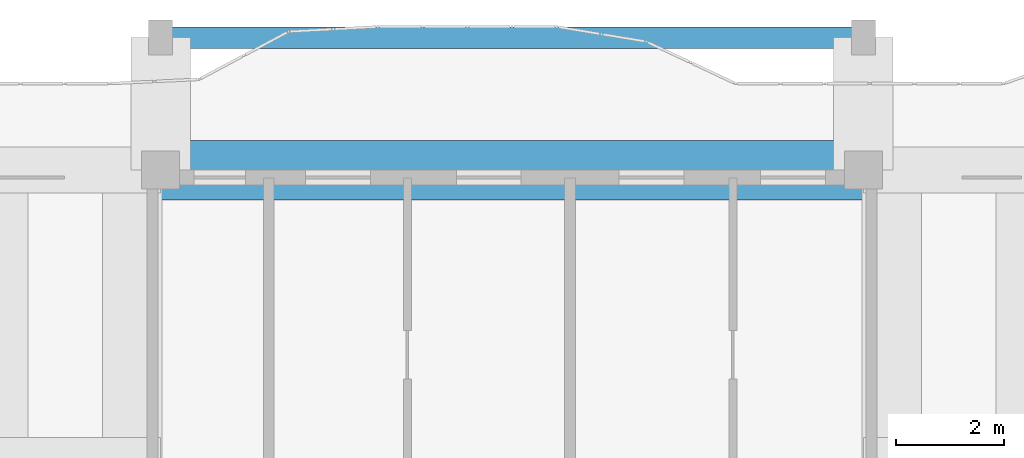
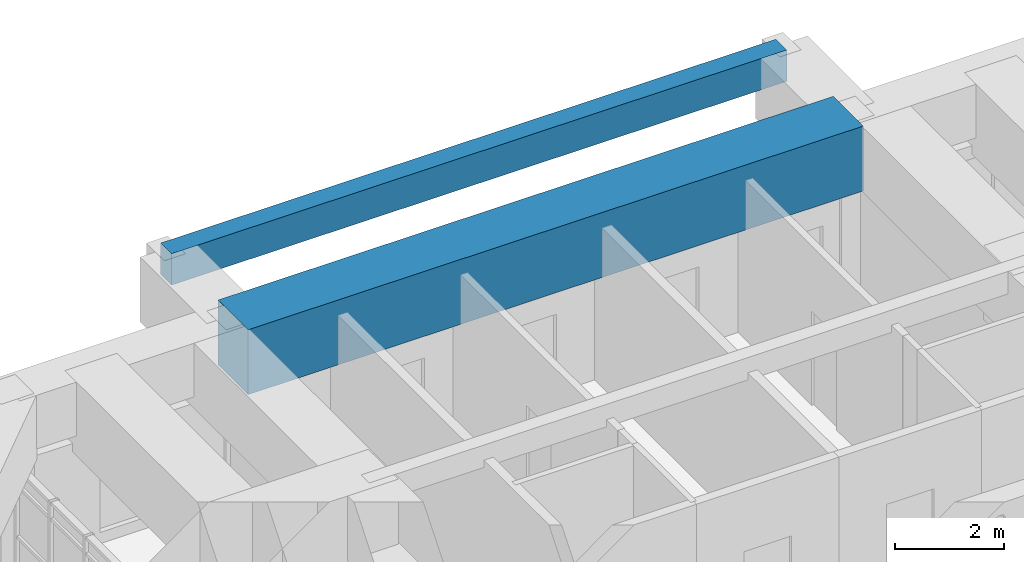
# One storey, part 11 of 27: 2 beams.
"""IFC4 building model written with IfcOpenShell, lengths in metres."""

from ifc_helpers import new_model, si_unit, direction, frame, origin, origin_2d, place, context, subcontext, project, spatial, rectangle, extrude, source, transform, mapped, material, material_profile, profile_set, type_object, element, save


model = new_model("IFC4")

# Units and contexts
model_context = context("Model", 3, precision=1e-05, world=origin(), true_north=direction((0.0, 1.0)))
body_context = subcontext(model_context, "Body", "Model", "MODEL_VIEW")
ifc_project = project(units=[si_unit("LENGTHUNIT", "METRE"), si_unit("AREAUNIT", "SQUARE_METRE"), si_unit("VOLUMEUNIT", "CUBIC_METRE"), si_unit("PLANEANGLEUNIT", "RADIAN"), si_unit("MASSUNIT", "GRAM", prefix="KILO")], contexts=[model_context])

# Site, building, storey
site_placement = place(None, origin())
site = spatial("IfcSite", under=ifc_project, at=site_placement, CompositionType="ELEMENT")
building_placement = place(site_placement, origin())
building = spatial("IfcBuilding", under=site, at=building_placement, Name="Saelheon Loggia Tower", CompositionType="ELEMENT")
storey_placement = place(building_placement, frame((0.0, 0.0, 236.10009765625)))
storey = spatial("IfcBuildingStorey", under=building, at=storey_placement, Name="L73", CompositionType="ELEMENT", Elevation=236.10009765625)

# Beams
ifc_material_1 = material(Name="Concrete C50/60", Category="concrete")
ifc_material_profile_1 = material_profile(ifc_material_1, rectangle(XDim=1.10009765625, YDim=1.449951171875, at=origin_2d()), Name="RC-1100x1450")
ifc_profile_set_1 = profile_set([ifc_material_profile_1], Name="Concrete C50/60")
beam_type_1 = type_object("IfcBeamType", Name="Beam_PerimTransfer_RC1100x1450", PredefinedType="BEAM", material=ifc_profile_set_1)
shared_shape_1 = source(origin(), body_context, "Body", "SweptSolid", [
    extrude(rectangle(XDim=1.10009765625, YDim=1.449951171875, at=origin_2d()), origin(), (0.0, 0.0, 1.0), 13.0),
])
beam_1_placement = place(storey_placement, frame((44.5, 48.0, 3.1748046875), z_axis=(-1.0, 0.0, 0.0), x_axis=(0.0, -1.0, 0.0)))
element("IfcBeam", 1, at=beam_1_placement, inside=storey, type_object=beam_type_1, Name="L73 Perimeter Frame Girder 10", PredefinedType="BEAM", context=body_context, shape_type="MappedRepresentation", body=[
    mapped(shared_shape_1, transform((0.0, 0.0, 0.0), scale=1.0)),
])
ifc_material_2 = material(Name="Precast Concrete C45/55", Category="concrete")
ifc_material_profile_2 = material_profile(ifc_material_2, rectangle(XDim=0.39990234375, YDim=0.699951171875, at=origin_2d()), Name="RC-400x700")
ifc_profile_set_2 = profile_set([ifc_material_profile_2], Name="Precast Concrete C45/55")
beam_type_2 = type_object("IfcBeamType", Name="Beam_LoggiaSpandrel_RC400x700", PredefinedType="SPANDREL", material=ifc_profile_set_2)
shared_shape_2 = source(origin(), body_context, "Body", "SweptSolid", [
    extrude(rectangle(XDim=0.39990234375, YDim=0.699951171875, at=origin_2d()), origin(), (0.0, 0.0, 1.0), 13.0),
])
beam_2_placement = place(storey_placement, frame((31.5, 50.449951171875, 3.5498046875), z_axis=(1.0, 0.0, 0.0), x_axis=(0.0, 1.0, 0.0)))
element("IfcBeam", 2, at=beam_2_placement, inside=storey, type_object=beam_type_2, Name="L73 Loggia Spandrel Beam N", PredefinedType="SPANDREL", context=body_context, shape_type="MappedRepresentation", body=[
    mapped(shared_shape_2, transform((0.0, 0.0, 0.0), scale=1.0)),
])

save(model, "model.ifc")
